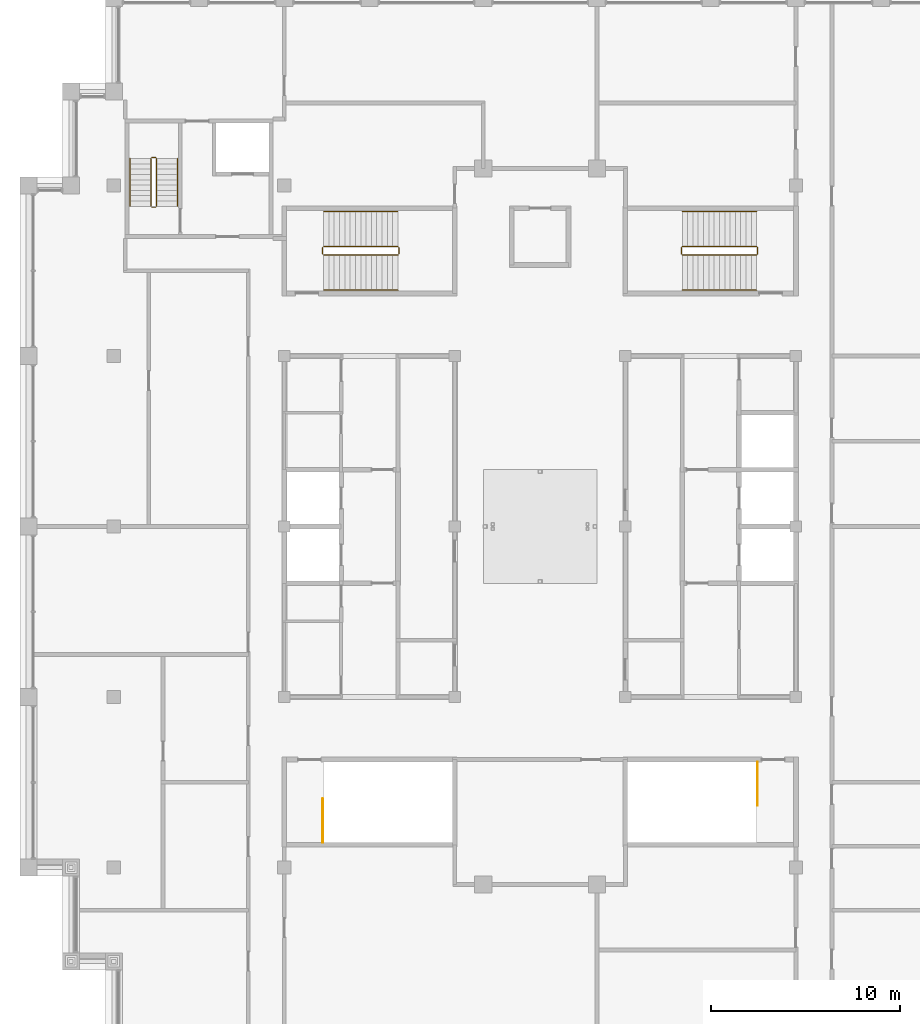
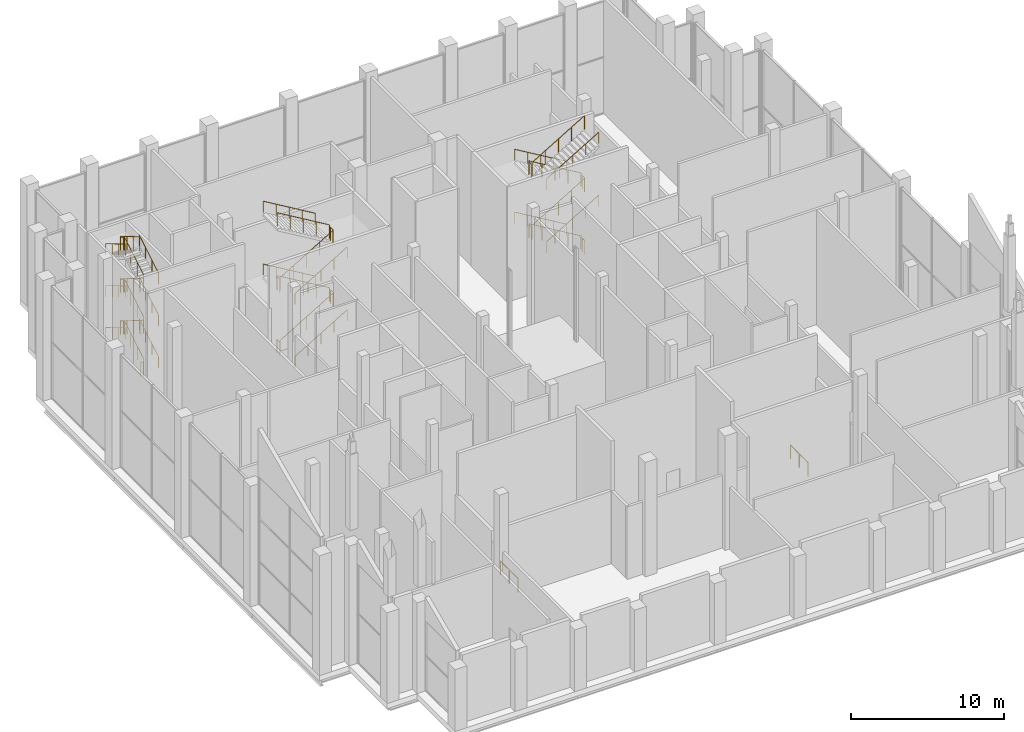
# One storey, part 16 of 16: 5 railings.
"""IFC4 building model written with IfcOpenShell, lengths in metres."""

from ifc_helpers import new_model, si_unit, direction, frame, origin, origin_2d, place, context, subcontext, project, spatial, circle, extrude, material, type_object, element, save


model = new_model("IFC4")

# Units and contexts
model_context = context("Model", 3, precision=1e-05, world=origin(), true_north=direction((0.0, 1.0)))
body_context = subcontext(model_context, "Body", "Model", "MODEL_VIEW")
ifc_project = project(units=[si_unit("LENGTHUNIT", "METRE"), si_unit("AREAUNIT", "SQUARE_METRE"), si_unit("VOLUMEUNIT", "CUBIC_METRE"), si_unit("PLANEANGLEUNIT", "RADIAN"), si_unit("MASSUNIT", "GRAM", prefix="KILO")], contexts=[model_context])

# Site, building, storey
site_placement = place(None, origin())
site = spatial("IfcSite", under=ifc_project, at=site_placement, CompositionType="ELEMENT")
building_placement = place(site_placement, origin())
building = spatial("IfcBuilding", under=site, at=building_placement, Name="Corbelhall Arena Tower", CompositionType="ELEMENT")
storey_placement = place(building_placement, frame((0.0, 0.0, 366.0)))
storey = spatial("IfcBuildingStorey", under=building, at=storey_placement, Name="L80", CompositionType="ELEMENT", Elevation=366.0)

# Railings
ifc_material = material(Name="Steel ASTM A500 Gr C", Category="steel")
railing_type = type_object("IfcRailingType", Name="IN-GD-1100", PredefinedType="GUARDRAIL", material=ifc_material)
railing_1_placement = place(storey_placement, frame((-11.425048828125, 14.324951171875, 0.166748046875)))
element("IfcRailing", 1, at=railing_1_placement, inside=storey, type_object=railing_type, Name="L80 ST1 stair guards and handrails", PredefinedType="GUARDRAIL", context=body_context, shape_type="SweptSolid", body=[
    extrude(circle(Radius=0.02392578125, at=origin_2d()), frame((0.0, 0.0, 1.076171875), z_axis=(0.859310244771, 0.0, 0.511454693235), x_axis=(0.0, 1.0, 0.0)), (0.0, 0.0, 1.0), 4.56201171875),
    extrude(circle(Radius=0.02392578125, at=origin_2d()), frame((3.969970703125, 0.050048828125, 3.4091796875), z_axis=(0.0, 1.0, 0.0), x_axis=(-1.0, 0.0, 0.0)), (0.0, 0.0, 1.0), 0.35009765625),
    extrude(circle(Radius=0.02392578125, at=origin_2d()), frame((3.920166015625, 0.449951171875, 3.576171875), z_axis=(-0.859310244771, 0.0, 0.511454693235), x_axis=(0.0, -1.0, 0.0)), (0.0, 0.0, 1.0), 4.56201171875),
    extrude(circle(Radius=0.02392578125, at=origin_2d()), frame((-0.050048828125, 0.050048828125, 5.9091796875), z_axis=(0.0, 1.0, 0.0), x_axis=(-1.0, 0.0, 0.0)), (0.0, 0.0, 1.0), 0.35009765625),
    extrude(circle(Radius=0.02392578125, at=origin_2d()), frame((0.0, 0.0, 6.076171875), z_axis=(0.859310244771, 0.0, 0.511454693235), x_axis=(0.0, 1.0, 0.0)), (0.0, 0.0, 1.0), 4.56201171875),
    extrude(circle(Radius=0.02392578125, at=origin_2d()), frame((3.969970703125, 0.050048828125, 8.4091796875), z_axis=(0.0, 1.0, 0.0), x_axis=(-1.0, 0.0, 0.0)), (0.0, 0.0, 1.0), 0.35009765625),
    extrude(circle(Radius=0.02392578125, at=origin_2d()), frame((3.920166015625, 0.449951171875, 8.576171875), z_axis=(-0.859310244771, 0.0, 0.511454693235), x_axis=(0.0, -1.0, 0.0)), (0.0, 0.0, 1.0), 4.56201171875),
    extrude(circle(Radius=0.02392578125, at=origin_2d()), frame((-0.050048828125, 0.050048828125, 0.9091796875), z_axis=(0.0, 1.0, 0.0), x_axis=(-1.0, 0.0, 0.0)), (0.0, 0.0, 1.0), 0.35009765625),
    extrude(circle(Radius=0.02392578125, at=origin_2d()), frame((0.0, -1.849853515625, 0.8759765625), z_axis=(0.859310244771, 0.0, 0.511454693235), x_axis=(0.0, 1.0, 0.0)), (0.0, 0.0, 1.0), 4.56201171875),
    extrude(circle(Radius=0.02392578125, at=origin_2d()), frame((3.920166015625, 2.300048828125, 3.3759765625), z_axis=(-0.859310244771, 0.0, 0.511454693235), x_axis=(0.0, -1.0, 0.0)), (0.0, 0.0, 1.0), 4.56201171875),
    extrude(circle(Radius=0.02392578125, at=origin_2d()), frame((0.0, -1.849853515625, 5.8759765625), z_axis=(0.859310244771, 0.0, 0.511454693235), x_axis=(0.0, 1.0, 0.0)), (0.0, 0.0, 1.0), 4.56201171875),
    extrude(circle(Radius=0.02392578125, at=origin_2d()), frame((3.920166015625, 2.300048828125, 8.3759765625), z_axis=(-0.859310244771, 0.0, 0.511454693235), x_axis=(0.0, -1.0, 0.0)), (0.0, 0.0, 1.0), 4.56201171875),
    extrude(circle(Radius=0.02099609375, at=origin_2d()), origin(), (0.0, 0.0, 1.0), 1.052001953125),
    extrude(circle(Radius=0.02099609375, at=origin_2d()), frame((0.97998046875, 0.0, 0.583251953125)), (0.0, 0.0, 1.0), 1.052001953125),
    extrude(circle(Radius=0.02099609375, at=origin_2d()), frame((1.9599609375, 0.0, 1.16650390625)), (0.0, 0.0, 1.0), 1.052001953125),
    extrude(circle(Radius=0.02099609375, at=origin_2d()), frame((2.940185546875, 0.0, 1.75)), (0.0, 0.0, 1.0), 1.052001953125),
    extrude(circle(Radius=0.02099609375, at=origin_2d()), frame((3.920166015625, 0.0, 2.333251953125)), (0.0, 0.0, 1.0), 1.052001953125),
    extrude(circle(Radius=0.02099609375, at=origin_2d()), frame((3.969970703125, 0.050048828125, 2.333251953125)), (0.0, 0.0, 1.0), 1.052001953125),
    extrude(circle(Radius=0.02099609375, at=origin_2d()), frame((3.969970703125, 0.400146484375, 2.333251953125)), (0.0, 0.0, 1.0), 1.052001953125),
    extrude(circle(Radius=0.02099609375, at=origin_2d()), frame((3.920166015625, 0.449951171875, 2.5)), (0.0, 0.0, 1.0), 1.052001953125),
    extrude(circle(Radius=0.02099609375, at=origin_2d()), frame((2.940185546875, 0.449951171875, 3.083251953125)), (0.0, 0.0, 1.0), 1.052001953125),
    extrude(circle(Radius=0.02099609375, at=origin_2d()), frame((1.9599609375, 0.449951171875, 3.66650390625)), (0.0, 0.0, 1.0), 1.052001953125),
    extrude(circle(Radius=0.02099609375, at=origin_2d()), frame((0.97998046875, 0.449951171875, 4.25)), (0.0, 0.0, 1.0), 1.052001953125),
    extrude(circle(Radius=0.02099609375, at=origin_2d()), frame((0.0, 0.449951171875, 4.833251953125)), (0.0, 0.0, 1.0), 1.052001953125),
    extrude(circle(Radius=0.02099609375, at=origin_2d()), frame((-0.050048828125, 0.050048828125, 4.833251953125)), (0.0, 0.0, 1.0), 1.052001953125),
    extrude(circle(Radius=0.02099609375, at=origin_2d()), frame((-0.050048828125, 0.400146484375, 4.833251953125)), (0.0, 0.0, 1.0), 1.052001953125),
    extrude(circle(Radius=0.02099609375, at=origin_2d()), frame((0.0, 0.0, 5.0)), (0.0, 0.0, 1.0), 1.052001953125),
    extrude(circle(Radius=0.02099609375, at=origin_2d()), frame((0.97998046875, 0.0, 5.583251953125)), (0.0, 0.0, 1.0), 1.052001953125),
    extrude(circle(Radius=0.02099609375, at=origin_2d()), frame((1.9599609375, 0.0, 6.16650390625)), (0.0, 0.0, 1.0), 1.052001953125),
    extrude(circle(Radius=0.02099609375, at=origin_2d()), frame((2.940185546875, 0.0, 6.75)), (0.0, 0.0, 1.0), 1.052001953125),
    extrude(circle(Radius=0.02099609375, at=origin_2d()), frame((3.920166015625, 0.0, 7.333251953125)), (0.0, 0.0, 1.0), 1.052001953125),
    extrude(circle(Radius=0.02099609375, at=origin_2d()), frame((3.969970703125, 0.050048828125, 7.333251953125)), (0.0, 0.0, 1.0), 1.052001953125),
    extrude(circle(Radius=0.02099609375, at=origin_2d()), frame((3.969970703125, 0.400146484375, 7.333251953125)), (0.0, 0.0, 1.0), 1.052001953125),
    extrude(circle(Radius=0.02099609375, at=origin_2d()), frame((3.920166015625, 0.449951171875, 7.5)), (0.0, 0.0, 1.0), 1.052001953125),
    extrude(circle(Radius=0.02099609375, at=origin_2d()), frame((2.940185546875, 0.449951171875, 8.083251953125)), (0.0, 0.0, 1.0), 1.052001953125),
    extrude(circle(Radius=0.02099609375, at=origin_2d()), frame((1.9599609375, 0.449951171875, 8.66650390625)), (0.0, 0.0, 1.0), 1.052001953125),
    extrude(circle(Radius=0.02099609375, at=origin_2d()), frame((0.97998046875, 0.449951171875, 9.25)), (0.0, 0.0, 1.0), 1.052001953125),
    extrude(circle(Radius=0.02099609375, at=origin_2d()), frame((0.0, 0.449951171875, 9.833251953125)), (0.0, 0.0, 1.0), 1.052001953125),
    extrude(circle(Radius=0.02099609375, at=origin_2d()), frame((-0.050048828125, 0.050048828125, -0.166748046875)), (0.0, 0.0, 1.0), 1.052001953125),
    extrude(circle(Radius=0.02099609375, at=origin_2d()), frame((-0.050048828125, 0.400146484375, -0.166748046875)), (0.0, 0.0, 1.0), 1.052001953125),
    extrude(circle(Radius=0.02099609375, at=origin_2d()), frame((0.0, -1.849853515625, 0.0)), (0.0, 0.0, 1.0), 0.851806640625),
    extrude(circle(Radius=0.02099609375, at=origin_2d()), frame((0.97998046875, -1.849853515625, 0.583251953125)), (0.0, 0.0, 1.0), 0.851806640625),
    extrude(circle(Radius=0.02099609375, at=origin_2d()), frame((1.9599609375, -1.849853515625, 1.16650390625)), (0.0, 0.0, 1.0), 0.851806640625),
    extrude(circle(Radius=0.02099609375, at=origin_2d()), frame((2.940185546875, -1.849853515625, 1.75)), (0.0, 0.0, 1.0), 0.851806640625),
    extrude(circle(Radius=0.02099609375, at=origin_2d()), frame((3.920166015625, -1.849853515625, 2.333251953125)), (0.0, 0.0, 1.0), 0.851806640625),
    extrude(circle(Radius=0.02099609375, at=origin_2d()), frame((3.920166015625, 2.300048828125, 2.5)), (0.0, 0.0, 1.0), 0.851806640625),
    extrude(circle(Radius=0.02099609375, at=origin_2d()), frame((2.940185546875, 2.300048828125, 3.083251953125)), (0.0, 0.0, 1.0), 0.851806640625),
    extrude(circle(Radius=0.02099609375, at=origin_2d()), frame((1.9599609375, 2.300048828125, 3.66650390625)), (0.0, 0.0, 1.0), 0.851806640625),
    extrude(circle(Radius=0.02099609375, at=origin_2d()), frame((0.97998046875, 2.300048828125, 4.25)), (0.0, 0.0, 1.0), 0.851806640625),
    extrude(circle(Radius=0.02099609375, at=origin_2d()), frame((0.0, 2.300048828125, 4.833251953125)), (0.0, 0.0, 1.0), 0.851806640625),
    extrude(circle(Radius=0.02099609375, at=origin_2d()), frame((0.0, -1.849853515625, 5.0)), (0.0, 0.0, 1.0), 0.851806640625),
    extrude(circle(Radius=0.02099609375, at=origin_2d()), frame((0.97998046875, -1.849853515625, 5.583251953125)), (0.0, 0.0, 1.0), 0.851806640625),
    extrude(circle(Radius=0.02099609375, at=origin_2d()), frame((1.9599609375, -1.849853515625, 6.16650390625)), (0.0, 0.0, 1.0), 0.851806640625),
    extrude(circle(Radius=0.02099609375, at=origin_2d()), frame((2.940185546875, -1.849853515625, 6.75)), (0.0, 0.0, 1.0), 0.851806640625),
    extrude(circle(Radius=0.02099609375, at=origin_2d()), frame((3.920166015625, -1.849853515625, 7.333251953125)), (0.0, 0.0, 1.0), 0.851806640625),
    extrude(circle(Radius=0.02099609375, at=origin_2d()), frame((3.920166015625, 2.300048828125, 7.5)), (0.0, 0.0, 1.0), 0.851806640625),
    extrude(circle(Radius=0.02099609375, at=origin_2d()), frame((2.940185546875, 2.300048828125, 8.083251953125)), (0.0, 0.0, 1.0), 0.851806640625),
    extrude(circle(Radius=0.02099609375, at=origin_2d()), frame((1.9599609375, 2.300048828125, 8.66650390625)), (0.0, 0.0, 1.0), 0.851806640625),
    extrude(circle(Radius=0.02099609375, at=origin_2d()), frame((0.97998046875, 2.300048828125, 9.25)), (0.0, 0.0, 1.0), 0.851806640625),
    extrude(circle(Radius=0.02099609375, at=origin_2d()), frame((0.0, 2.300048828125, 9.833251953125)), (0.0, 0.0, 1.0), 0.851806640625),
])
railing_2_placement = place(storey_placement, frame((-11.47509765625, -16.675048828125, 0.0)))
element("IfcRailing", 2, at=railing_2_placement, inside=storey, type_object=railing_type, Name="L80 ST2 stair guards and handrails", PredefinedType="GUARDRAIL", context=body_context, shape_type="SweptSolid", body=[
    extrude(circle(Radius=0.02392578125, at=origin_2d()), frame((0.0, 0.0, 1.076171875), z_axis=(0.0, 1.0, 0.0), x_axis=(-1.0, 0.0, 0.0)), (0.0, 0.0, 1.0), 2.300048828125),
    extrude(circle(Radius=0.02099609375, at=origin_2d()), origin(), (0.0, 0.0, 1.0), 1.052001953125),
    extrude(circle(Radius=0.02099609375, at=origin_2d()), frame((0.0, 1.14990234375, 0.0)), (0.0, 0.0, 1.0), 1.052001953125),
    extrude(circle(Radius=0.02099609375, at=origin_2d()), frame((0.0, 2.300048828125, 0.0)), (0.0, 0.0, 1.0), 1.052001953125),
])
railing_3_placement = place(storey_placement, frame((11.425048828125, 14.77490234375, 0.166748046875)))
element("IfcRailing", 3, at=railing_3_placement, inside=storey, type_object=railing_type, Name="L80 ST3 stair guards and handrails", PredefinedType="GUARDRAIL", context=body_context, shape_type="SweptSolid", body=[
    extrude(circle(Radius=0.02392578125, at=origin_2d()), frame((0.0, 0.0, 1.076171875), z_axis=(-0.859310244771, 0.0, 0.511454693235), x_axis=(0.0, -1.0, 0.0)), (0.0, 0.0, 1.0), 4.56201171875),
    extrude(circle(Radius=0.02392578125, at=origin_2d()), frame((-3.969970703125, -0.0498046875, 3.4091796875), z_axis=(0.0, -1.0, 0.0), x_axis=(1.0, 0.0, 0.0)), (0.0, 0.0, 1.0), 0.35009765625),
    extrude(circle(Radius=0.02392578125, at=origin_2d()), frame((-3.920166015625, -0.449951171875, 3.576171875), z_axis=(0.859310244771, 0.0, 0.511454693235), x_axis=(0.0, 1.0, 0.0)), (0.0, 0.0, 1.0), 4.56201171875),
    extrude(circle(Radius=0.02392578125, at=origin_2d()), frame((0.050048828125, -0.0498046875, 5.9091796875), z_axis=(0.0, -1.0, 0.0), x_axis=(1.0, 0.0, 0.0)), (0.0, 0.0, 1.0), 0.35009765625),
    extrude(circle(Radius=0.02392578125, at=origin_2d()), frame((0.0, 0.0, 6.076171875), z_axis=(-0.859310244771, 0.0, 0.511454693235), x_axis=(0.0, -1.0, 0.0)), (0.0, 0.0, 1.0), 4.56201171875),
    extrude(circle(Radius=0.02392578125, at=origin_2d()), frame((-3.969970703125, -0.0498046875, 8.4091796875), z_axis=(0.0, -1.0, 0.0), x_axis=(1.0, 0.0, 0.0)), (0.0, 0.0, 1.0), 0.35009765625),
    extrude(circle(Radius=0.02392578125, at=origin_2d()), frame((-3.920166015625, -0.449951171875, 8.576171875), z_axis=(0.859310244771, 0.0, 0.511454693235), x_axis=(0.0, 1.0, 0.0)), (0.0, 0.0, 1.0), 4.56201171875),
    extrude(circle(Radius=0.02392578125, at=origin_2d()), frame((0.050048828125, -0.0498046875, 0.9091796875), z_axis=(0.0, -1.0, 0.0), x_axis=(1.0, 0.0, 0.0)), (0.0, 0.0, 1.0), 0.35009765625),
    extrude(circle(Radius=0.02392578125, at=origin_2d()), frame((0.0, 1.85009765625, 0.8759765625), z_axis=(-0.859310244771, 0.0, 0.511454693235), x_axis=(0.0, -1.0, 0.0)), (0.0, 0.0, 1.0), 4.56201171875),
    extrude(circle(Radius=0.02392578125, at=origin_2d()), frame((-3.920166015625, -2.2998046875, 3.3759765625), z_axis=(0.859310244771, 0.0, 0.511454693235), x_axis=(0.0, 1.0, 0.0)), (0.0, 0.0, 1.0), 4.56201171875),
    extrude(circle(Radius=0.02392578125, at=origin_2d()), frame((0.0, 1.85009765625, 5.8759765625), z_axis=(-0.859310244771, 0.0, 0.511454693235), x_axis=(0.0, -1.0, 0.0)), (0.0, 0.0, 1.0), 4.56201171875),
    extrude(circle(Radius=0.02392578125, at=origin_2d()), frame((-3.920166015625, -2.2998046875, 8.3759765625), z_axis=(0.859310244771, 0.0, 0.511454693235), x_axis=(0.0, 1.0, 0.0)), (0.0, 0.0, 1.0), 4.56201171875),
    extrude(circle(Radius=0.02099609375, at=origin_2d()), origin(), (0.0, 0.0, 1.0), 1.052001953125),
    extrude(circle(Radius=0.02099609375, at=origin_2d()), frame((-0.97998046875, 0.0, 0.583251953125)), (0.0, 0.0, 1.0), 1.052001953125),
    extrude(circle(Radius=0.02099609375, at=origin_2d()), frame((-1.9599609375, 0.0, 1.16650390625)), (0.0, 0.0, 1.0), 1.052001953125),
    extrude(circle(Radius=0.02099609375, at=origin_2d()), frame((-2.940185546875, 0.0, 1.75)), (0.0, 0.0, 1.0), 1.052001953125),
    extrude(circle(Radius=0.02099609375, at=origin_2d()), frame((-3.920166015625, 0.0, 2.333251953125)), (0.0, 0.0, 1.0), 1.052001953125),
    extrude(circle(Radius=0.02099609375, at=origin_2d()), frame((-3.969970703125, -0.0498046875, 2.333251953125)), (0.0, 0.0, 1.0), 1.052001953125),
    extrude(circle(Radius=0.02099609375, at=origin_2d()), frame((-3.969970703125, -0.39990234375, 2.333251953125)), (0.0, 0.0, 1.0), 1.052001953125),
    extrude(circle(Radius=0.02099609375, at=origin_2d()), frame((-3.920166015625, -0.449951171875, 2.5)), (0.0, 0.0, 1.0), 1.052001953125),
    extrude(circle(Radius=0.02099609375, at=origin_2d()), frame((-2.940185546875, -0.449951171875, 3.083251953125)), (0.0, 0.0, 1.0), 1.052001953125),
    extrude(circle(Radius=0.02099609375, at=origin_2d()), frame((-1.9599609375, -0.449951171875, 3.66650390625)), (0.0, 0.0, 1.0), 1.052001953125),
    extrude(circle(Radius=0.02099609375, at=origin_2d()), frame((-0.97998046875, -0.449951171875, 4.25)), (0.0, 0.0, 1.0), 1.052001953125),
    extrude(circle(Radius=0.02099609375, at=origin_2d()), frame((0.0, -0.449951171875, 4.833251953125)), (0.0, 0.0, 1.0), 1.052001953125),
    extrude(circle(Radius=0.02099609375, at=origin_2d()), frame((0.050048828125, -0.0498046875, 4.833251953125)), (0.0, 0.0, 1.0), 1.052001953125),
    extrude(circle(Radius=0.02099609375, at=origin_2d()), frame((0.050048828125, -0.39990234375, 4.833251953125)), (0.0, 0.0, 1.0), 1.052001953125),
    extrude(circle(Radius=0.02099609375, at=origin_2d()), frame((0.0, 0.0, 5.0)), (0.0, 0.0, 1.0), 1.052001953125),
    extrude(circle(Radius=0.02099609375, at=origin_2d()), frame((-0.97998046875, 0.0, 5.583251953125)), (0.0, 0.0, 1.0), 1.052001953125),
    extrude(circle(Radius=0.02099609375, at=origin_2d()), frame((-1.9599609375, 0.0, 6.16650390625)), (0.0, 0.0, 1.0), 1.052001953125),
    extrude(circle(Radius=0.02099609375, at=origin_2d()), frame((-2.940185546875, 0.0, 6.75)), (0.0, 0.0, 1.0), 1.052001953125),
    extrude(circle(Radius=0.02099609375, at=origin_2d()), frame((-3.920166015625, 0.0, 7.333251953125)), (0.0, 0.0, 1.0), 1.052001953125),
    extrude(circle(Radius=0.02099609375, at=origin_2d()), frame((-3.969970703125, -0.0498046875, 7.333251953125)), (0.0, 0.0, 1.0), 1.052001953125),
    extrude(circle(Radius=0.02099609375, at=origin_2d()), frame((-3.969970703125, -0.39990234375, 7.333251953125)), (0.0, 0.0, 1.0), 1.052001953125),
    extrude(circle(Radius=0.02099609375, at=origin_2d()), frame((-3.920166015625, -0.449951171875, 7.5)), (0.0, 0.0, 1.0), 1.052001953125),
    extrude(circle(Radius=0.02099609375, at=origin_2d()), frame((-2.940185546875, -0.449951171875, 8.083251953125)), (0.0, 0.0, 1.0), 1.052001953125),
    extrude(circle(Radius=0.02099609375, at=origin_2d()), frame((-1.9599609375, -0.449951171875, 8.66650390625)), (0.0, 0.0, 1.0), 1.052001953125),
    extrude(circle(Radius=0.02099609375, at=origin_2d()), frame((-0.97998046875, -0.449951171875, 9.25)), (0.0, 0.0, 1.0), 1.052001953125),
    extrude(circle(Radius=0.02099609375, at=origin_2d()), frame((0.0, -0.449951171875, 9.833251953125)), (0.0, 0.0, 1.0), 1.052001953125),
    extrude(circle(Radius=0.02099609375, at=origin_2d()), frame((0.050048828125, -0.0498046875, -0.166748046875)), (0.0, 0.0, 1.0), 1.052001953125),
    extrude(circle(Radius=0.02099609375, at=origin_2d()), frame((0.050048828125, -0.39990234375, -0.166748046875)), (0.0, 0.0, 1.0), 1.052001953125),
    extrude(circle(Radius=0.02099609375, at=origin_2d()), frame((0.0, 1.85009765625, 0.0)), (0.0, 0.0, 1.0), 0.851806640625),
    extrude(circle(Radius=0.02099609375, at=origin_2d()), frame((-0.97998046875, 1.85009765625, 0.583251953125)), (0.0, 0.0, 1.0), 0.851806640625),
    extrude(circle(Radius=0.02099609375, at=origin_2d()), frame((-1.9599609375, 1.85009765625, 1.16650390625)), (0.0, 0.0, 1.0), 0.851806640625),
    extrude(circle(Radius=0.02099609375, at=origin_2d()), frame((-2.940185546875, 1.85009765625, 1.75)), (0.0, 0.0, 1.0), 0.851806640625),
    extrude(circle(Radius=0.02099609375, at=origin_2d()), frame((-3.920166015625, 1.85009765625, 2.333251953125)), (0.0, 0.0, 1.0), 0.851806640625),
    extrude(circle(Radius=0.02099609375, at=origin_2d()), frame((-3.920166015625, -2.2998046875, 2.5)), (0.0, 0.0, 1.0), 0.851806640625),
    extrude(circle(Radius=0.02099609375, at=origin_2d()), frame((-2.940185546875, -2.2998046875, 3.083251953125)), (0.0, 0.0, 1.0), 0.851806640625),
    extrude(circle(Radius=0.02099609375, at=origin_2d()), frame((-1.9599609375, -2.2998046875, 3.66650390625)), (0.0, 0.0, 1.0), 0.851806640625),
    extrude(circle(Radius=0.02099609375, at=origin_2d()), frame((-0.97998046875, -2.2998046875, 4.25)), (0.0, 0.0, 1.0), 0.851806640625),
    extrude(circle(Radius=0.02099609375, at=origin_2d()), frame((0.0, -2.2998046875, 4.833251953125)), (0.0, 0.0, 1.0), 0.851806640625),
    extrude(circle(Radius=0.02099609375, at=origin_2d()), frame((0.0, 1.85009765625, 5.0)), (0.0, 0.0, 1.0), 0.851806640625),
    extrude(circle(Radius=0.02099609375, at=origin_2d()), frame((-0.97998046875, 1.85009765625, 5.583251953125)), (0.0, 0.0, 1.0), 0.851806640625),
    extrude(circle(Radius=0.02099609375, at=origin_2d()), frame((-1.9599609375, 1.85009765625, 6.16650390625)), (0.0, 0.0, 1.0), 0.851806640625),
    extrude(circle(Radius=0.02099609375, at=origin_2d()), frame((-2.940185546875, 1.85009765625, 6.75)), (0.0, 0.0, 1.0), 0.851806640625),
    extrude(circle(Radius=0.02099609375, at=origin_2d()), frame((-3.920166015625, 1.85009765625, 7.333251953125)), (0.0, 0.0, 1.0), 0.851806640625),
    extrude(circle(Radius=0.02099609375, at=origin_2d()), frame((-3.920166015625, -2.2998046875, 7.5)), (0.0, 0.0, 1.0), 0.851806640625),
    extrude(circle(Radius=0.02099609375, at=origin_2d()), frame((-2.940185546875, -2.2998046875, 8.083251953125)), (0.0, 0.0, 1.0), 0.851806640625),
    extrude(circle(Radius=0.02099609375, at=origin_2d()), frame((-1.9599609375, -2.2998046875, 8.66650390625)), (0.0, 0.0, 1.0), 0.851806640625),
    extrude(circle(Radius=0.02099609375, at=origin_2d()), frame((-0.97998046875, -2.2998046875, 9.25)), (0.0, 0.0, 1.0), 0.851806640625),
    extrude(circle(Radius=0.02099609375, at=origin_2d()), frame((0.0, -2.2998046875, 9.833251953125)), (0.0, 0.0, 1.0), 0.851806640625),
])
railing_4_placement = place(storey_placement, frame((11.47509765625, -12.425048828125, 0.0)))
element("IfcRailing", 4, at=railing_4_placement, inside=storey, type_object=railing_type, Name="L80 ST4 stair guards and handrails", PredefinedType="GUARDRAIL", context=body_context, shape_type="SweptSolid", body=[
    extrude(circle(Radius=0.02392578125, at=origin_2d()), frame((0.0, 0.0, 1.076171875), z_axis=(0.0, -1.0, 0.0), x_axis=(1.0, 0.0, 0.0)), (0.0, 0.0, 1.0), 2.300048828125),
    extrude(circle(Radius=0.02099609375, at=origin_2d()), origin(), (0.0, 0.0, 1.0), 1.052001953125),
    extrude(circle(Radius=0.02099609375, at=origin_2d()), frame((0.0, -1.14990234375, 0.0)), (0.0, 0.0, 1.0), 1.052001953125),
    extrude(circle(Radius=0.02099609375, at=origin_2d()), frame((0.0, -2.300048828125, 0.0)), (0.0, 0.0, 1.0), 1.052001953125),
])
railing_5_placement = place(storey_placement, frame((-20.2451171875, 16.89990234375, 0.166748046875)))
element("IfcRailing", 5, at=railing_5_placement, inside=storey, type_object=railing_type, Name="L80 ST5 stair guards and handrails", PredefinedType="GUARDRAIL", context=body_context, shape_type="SweptSolid", body=[
    extrude(circle(Radius=0.02392578125, at=origin_2d()), frame((0.0, 0.0, 1.076171875), z_axis=(0.0, 0.859294626741, 0.511480932639), x_axis=(-1.0, 0.0, 0.0)), (0.0, 0.0, 1.0), 2.9326171875),
    extrude(circle(Radius=0.02392578125, at=origin_2d()), frame((-0.0498046875, 2.570068359375, 2.576171875), z_axis=(-1.0, 0.0, 0.0), x_axis=(0.0, -1.0, 0.0)), (0.0, 0.0, 1.0), 0.2001953125),
    extrude(circle(Radius=0.02392578125, at=origin_2d()), frame((-0.2998046875, 2.52001953125, 2.74267578125), z_axis=(0.0, -0.859294626741, 0.511480932639), x_axis=(1.0, 0.0, 0.0)), (0.0, 0.0, 1.0), 2.9326171875),
    extrude(circle(Radius=0.02392578125, at=origin_2d()), frame((-0.0498046875, -0.0498046875, 4.24267578125), z_axis=(-1.0, 0.0, 0.0), x_axis=(0.0, -1.0, 0.0)), (0.0, 0.0, 1.0), 0.2001953125),
    extrude(circle(Radius=0.02392578125, at=origin_2d()), frame((0.0, 0.0, 4.4091796875), z_axis=(0.0, 0.859294626741, 0.511480932639), x_axis=(-1.0, 0.0, 0.0)), (0.0, 0.0, 1.0), 2.9326171875),
    extrude(circle(Radius=0.02392578125, at=origin_2d()), frame((-0.0498046875, 2.570068359375, 5.9091796875), z_axis=(-1.0, 0.0, 0.0), x_axis=(0.0, -1.0, 0.0)), (0.0, 0.0, 1.0), 0.2001953125),
    extrude(circle(Radius=0.02392578125, at=origin_2d()), frame((-0.2998046875, 2.52001953125, 6.076171875), z_axis=(0.0, -0.859294626741, 0.511480932639), x_axis=(1.0, 0.0, 0.0)), (0.0, 0.0, 1.0), 2.9326171875),
    extrude(circle(Radius=0.02392578125, at=origin_2d()), frame((-0.0498046875, -0.0498046875, 7.576171875), z_axis=(-1.0, 0.0, 0.0), x_axis=(0.0, -1.0, 0.0)), (0.0, 0.0, 1.0), 0.2001953125),
    extrude(circle(Radius=0.02392578125, at=origin_2d()), frame((0.0, 0.0, 7.74267578125), z_axis=(0.0, 0.859294626741, 0.511480932639), x_axis=(-1.0, 0.0, 0.0)), (0.0, 0.0, 1.0), 2.9326171875),
    extrude(circle(Radius=0.02392578125, at=origin_2d()), frame((-0.0498046875, 2.570068359375, 9.24267578125), z_axis=(-1.0, 0.0, 0.0), x_axis=(0.0, -1.0, 0.0)), (0.0, 0.0, 1.0), 0.2001953125),
    extrude(circle(Radius=0.02392578125, at=origin_2d()), frame((-0.2998046875, 2.52001953125, 9.4091796875), z_axis=(0.0, -0.859294626741, 0.511480932639), x_axis=(1.0, 0.0, 0.0)), (0.0, 0.0, 1.0), 2.9326171875),
    extrude(circle(Radius=0.02392578125, at=origin_2d()), frame((-0.0498046875, -0.0498046875, 0.9091796875), z_axis=(-1.0, 0.0, 0.0), x_axis=(0.0, -1.0, 0.0)), (0.0, 0.0, 1.0), 0.2001953125),
    extrude(circle(Radius=0.02392578125, at=origin_2d()), frame((1.10009765625, 0.0, 0.8759765625), z_axis=(0.0, 0.859294626741, 0.511480932639), x_axis=(-1.0, 0.0, 0.0)), (0.0, 0.0, 1.0), 2.9326171875),
    extrude(circle(Radius=0.02392578125, at=origin_2d()), frame((-1.39990234375, 2.52001953125, 2.54248046875), z_axis=(0.0, -0.859294626741, 0.511480932639), x_axis=(1.0, 0.0, 0.0)), (0.0, 0.0, 1.0), 2.9326171875),
    extrude(circle(Radius=0.02392578125, at=origin_2d()), frame((1.10009765625, 0.0, 4.208984375), z_axis=(0.0, 0.859294626741, 0.511480932639), x_axis=(-1.0, 0.0, 0.0)), (0.0, 0.0, 1.0), 2.9326171875),
    extrude(circle(Radius=0.02392578125, at=origin_2d()), frame((-1.39990234375, 2.52001953125, 5.8759765625), z_axis=(0.0, -0.859294626741, 0.511480932639), x_axis=(1.0, 0.0, 0.0)), (0.0, 0.0, 1.0), 2.9326171875),
    extrude(circle(Radius=0.02392578125, at=origin_2d()), frame((1.10009765625, 0.0, 7.54248046875), z_axis=(0.0, 0.859294626741, 0.511480932639), x_axis=(-1.0, 0.0, 0.0)), (0.0, 0.0, 1.0), 2.9326171875),
    extrude(circle(Radius=0.02392578125, at=origin_2d()), frame((-1.39990234375, 2.52001953125, 9.208984375), z_axis=(0.0, -0.859294626741, 0.511480932639), x_axis=(1.0, 0.0, 0.0)), (0.0, 0.0, 1.0), 2.9326171875),
    extrude(circle(Radius=0.02099609375, at=origin_2d()), origin(), (0.0, 0.0, 1.0), 1.052001953125),
    extrude(circle(Radius=0.02099609375, at=origin_2d()), frame((0.0, 0.840087890625, 0.5)), (0.0, 0.0, 1.0), 1.052001953125),
    extrude(circle(Radius=0.02099609375, at=origin_2d()), frame((0.0, 1.679931640625, 1.0)), (0.0, 0.0, 1.0), 1.052001953125),
    extrude(circle(Radius=0.02099609375, at=origin_2d()), frame((0.0, 2.52001953125, 1.5)), (0.0, 0.0, 1.0), 1.052001953125),
    extrude(circle(Radius=0.02099609375, at=origin_2d()), frame((-0.0498046875, 2.570068359375, 1.5)), (0.0, 0.0, 1.0), 1.052001953125),
    extrude(circle(Radius=0.02099609375, at=origin_2d()), frame((-0.25, 2.570068359375, 1.5)), (0.0, 0.0, 1.0), 1.052001953125),
    extrude(circle(Radius=0.02099609375, at=origin_2d()), frame((-0.2998046875, 2.52001953125, 1.66650390625)), (0.0, 0.0, 1.0), 1.052001953125),
    extrude(circle(Radius=0.02099609375, at=origin_2d()), frame((-0.2998046875, 1.679931640625, 2.16650390625)), (0.0, 0.0, 1.0), 1.052001953125),
    extrude(circle(Radius=0.02099609375, at=origin_2d()), frame((-0.2998046875, 0.840087890625, 2.66650390625)), (0.0, 0.0, 1.0), 1.052001953125),
    extrude(circle(Radius=0.02099609375, at=origin_2d()), frame((-0.2998046875, 0.0, 3.16650390625)), (0.0, 0.0, 1.0), 1.052001953125),
    extrude(circle(Radius=0.02099609375, at=origin_2d()), frame((-0.0498046875, -0.0498046875, 3.16650390625)), (0.0, 0.0, 1.0), 1.052001953125),
    extrude(circle(Radius=0.02099609375, at=origin_2d()), frame((-0.25, -0.0498046875, 3.16650390625)), (0.0, 0.0, 1.0), 1.052001953125),
    extrude(circle(Radius=0.02099609375, at=origin_2d()), frame((0.0, 0.0, 3.333251953125)), (0.0, 0.0, 1.0), 1.052001953125),
    extrude(circle(Radius=0.02099609375, at=origin_2d()), frame((0.0, 0.840087890625, 3.833251953125)), (0.0, 0.0, 1.0), 1.052001953125),
    extrude(circle(Radius=0.02099609375, at=origin_2d()), frame((0.0, 1.679931640625, 4.333251953125)), (0.0, 0.0, 1.0), 1.052001953125),
    extrude(circle(Radius=0.02099609375, at=origin_2d()), frame((0.0, 2.52001953125, 4.833251953125)), (0.0, 0.0, 1.0), 1.052001953125),
    extrude(circle(Radius=0.02099609375, at=origin_2d()), frame((-0.0498046875, 2.570068359375, 4.833251953125)), (0.0, 0.0, 1.0), 1.052001953125),
    extrude(circle(Radius=0.02099609375, at=origin_2d()), frame((-0.25, 2.570068359375, 4.833251953125)), (0.0, 0.0, 1.0), 1.052001953125),
    extrude(circle(Radius=0.02099609375, at=origin_2d()), frame((-0.2998046875, 2.52001953125, 5.0)), (0.0, 0.0, 1.0), 1.052001953125),
    extrude(circle(Radius=0.02099609375, at=origin_2d()), frame((-0.2998046875, 1.679931640625, 5.5)), (0.0, 0.0, 1.0), 1.052001953125),
    extrude(circle(Radius=0.02099609375, at=origin_2d()), frame((-0.2998046875, 0.840087890625, 6.0)), (0.0, 0.0, 1.0), 1.052001953125),
    extrude(circle(Radius=0.02099609375, at=origin_2d()), frame((-0.2998046875, 0.0, 6.5)), (0.0, 0.0, 1.0), 1.052001953125),
    extrude(circle(Radius=0.02099609375, at=origin_2d()), frame((-0.0498046875, -0.0498046875, 6.5)), (0.0, 0.0, 1.0), 1.052001953125),
    extrude(circle(Radius=0.02099609375, at=origin_2d()), frame((-0.25, -0.0498046875, 6.5)), (0.0, 0.0, 1.0), 1.052001953125),
    extrude(circle(Radius=0.02099609375, at=origin_2d()), frame((0.0, 0.0, 6.66650390625)), (0.0, 0.0, 1.0), 1.052001953125),
    extrude(circle(Radius=0.02099609375, at=origin_2d()), frame((0.0, 0.840087890625, 7.16650390625)), (0.0, 0.0, 1.0), 1.052001953125),
    extrude(circle(Radius=0.02099609375, at=origin_2d()), frame((0.0, 1.679931640625, 7.66650390625)), (0.0, 0.0, 1.0), 1.052001953125),
    extrude(circle(Radius=0.02099609375, at=origin_2d()), frame((0.0, 2.52001953125, 8.16650390625)), (0.0, 0.0, 1.0), 1.052001953125),
    extrude(circle(Radius=0.02099609375, at=origin_2d()), frame((-0.0498046875, 2.570068359375, 8.16650390625)), (0.0, 0.0, 1.0), 1.052001953125),
    extrude(circle(Radius=0.02099609375, at=origin_2d()), frame((-0.25, 2.570068359375, 8.16650390625)), (0.0, 0.0, 1.0), 1.052001953125),
    extrude(circle(Radius=0.02099609375, at=origin_2d()), frame((-0.2998046875, 2.52001953125, 8.333251953125)), (0.0, 0.0, 1.0), 1.052001953125),
    extrude(circle(Radius=0.02099609375, at=origin_2d()), frame((-0.2998046875, 1.679931640625, 8.833251953125)), (0.0, 0.0, 1.0), 1.052001953125),
    extrude(circle(Radius=0.02099609375, at=origin_2d()), frame((-0.2998046875, 0.840087890625, 9.333251953125)), (0.0, 0.0, 1.0), 1.052001953125),
    extrude(circle(Radius=0.02099609375, at=origin_2d()), frame((-0.2998046875, 0.0, 9.833251953125)), (0.0, 0.0, 1.0), 1.052001953125),
    extrude(circle(Radius=0.02099609375, at=origin_2d()), frame((-0.0498046875, -0.0498046875, -0.166748046875)), (0.0, 0.0, 1.0), 1.052001953125),
    extrude(circle(Radius=0.02099609375, at=origin_2d()), frame((-0.25, -0.0498046875, -0.166748046875)), (0.0, 0.0, 1.0), 1.052001953125),
    extrude(circle(Radius=0.02099609375, at=origin_2d()), frame((1.10009765625, 0.0, 0.0)), (0.0, 0.0, 1.0), 0.851806640625),
    extrude(circle(Radius=0.02099609375, at=origin_2d()), frame((1.10009765625, 0.840087890625, 0.5)), (0.0, 0.0, 1.0), 0.851806640625),
    extrude(circle(Radius=0.02099609375, at=origin_2d()), frame((1.10009765625, 1.679931640625, 1.0)), (0.0, 0.0, 1.0), 0.851806640625),
    extrude(circle(Radius=0.02099609375, at=origin_2d()), frame((1.10009765625, 2.52001953125, 1.5)), (0.0, 0.0, 1.0), 0.851806640625),
    extrude(circle(Radius=0.02099609375, at=origin_2d()), frame((-1.39990234375, 2.52001953125, 1.66650390625)), (0.0, 0.0, 1.0), 0.851806640625),
    extrude(circle(Radius=0.02099609375, at=origin_2d()), frame((-1.39990234375, 1.679931640625, 2.16650390625)), (0.0, 0.0, 1.0), 0.851806640625),
    extrude(circle(Radius=0.02099609375, at=origin_2d()), frame((-1.39990234375, 0.840087890625, 2.66650390625)), (0.0, 0.0, 1.0), 0.851806640625),
    extrude(circle(Radius=0.02099609375, at=origin_2d()), frame((-1.39990234375, 0.0, 3.16650390625)), (0.0, 0.0, 1.0), 0.851806640625),
    extrude(circle(Radius=0.02099609375, at=origin_2d()), frame((1.10009765625, 0.0, 3.333251953125)), (0.0, 0.0, 1.0), 0.851806640625),
    extrude(circle(Radius=0.02099609375, at=origin_2d()), frame((1.10009765625, 0.840087890625, 3.833251953125)), (0.0, 0.0, 1.0), 0.851806640625),
    extrude(circle(Radius=0.02099609375, at=origin_2d()), frame((1.10009765625, 1.679931640625, 4.333251953125)), (0.0, 0.0, 1.0), 0.851806640625),
    extrude(circle(Radius=0.02099609375, at=origin_2d()), frame((1.10009765625, 2.52001953125, 4.833251953125)), (0.0, 0.0, 1.0), 0.851806640625),
    extrude(circle(Radius=0.02099609375, at=origin_2d()), frame((-1.39990234375, 2.52001953125, 5.0)), (0.0, 0.0, 1.0), 0.851806640625),
    extrude(circle(Radius=0.02099609375, at=origin_2d()), frame((-1.39990234375, 1.679931640625, 5.5)), (0.0, 0.0, 1.0), 0.851806640625),
    extrude(circle(Radius=0.02099609375, at=origin_2d()), frame((-1.39990234375, 0.840087890625, 6.0)), (0.0, 0.0, 1.0), 0.851806640625),
    extrude(circle(Radius=0.02099609375, at=origin_2d()), frame((-1.39990234375, 0.0, 6.5)), (0.0, 0.0, 1.0), 0.851806640625),
    extrude(circle(Radius=0.02099609375, at=origin_2d()), frame((1.10009765625, 0.0, 6.66650390625)), (0.0, 0.0, 1.0), 0.851806640625),
    extrude(circle(Radius=0.02099609375, at=origin_2d()), frame((1.10009765625, 0.840087890625, 7.16650390625)), (0.0, 0.0, 1.0), 0.851806640625),
    extrude(circle(Radius=0.02099609375, at=origin_2d()), frame((1.10009765625, 1.679931640625, 7.66650390625)), (0.0, 0.0, 1.0), 0.851806640625),
    extrude(circle(Radius=0.02099609375, at=origin_2d()), frame((1.10009765625, 2.52001953125, 8.16650390625)), (0.0, 0.0, 1.0), 0.851806640625),
    extrude(circle(Radius=0.02099609375, at=origin_2d()), frame((-1.39990234375, 2.52001953125, 8.333251953125)), (0.0, 0.0, 1.0), 0.851806640625),
    extrude(circle(Radius=0.02099609375, at=origin_2d()), frame((-1.39990234375, 1.679931640625, 8.833251953125)), (0.0, 0.0, 1.0), 0.851806640625),
    extrude(circle(Radius=0.02099609375, at=origin_2d()), frame((-1.39990234375, 0.840087890625, 9.333251953125)), (0.0, 0.0, 1.0), 0.851806640625),
    extrude(circle(Radius=0.02099609375, at=origin_2d()), frame((-1.39990234375, 0.0, 9.833251953125)), (0.0, 0.0, 1.0), 0.851806640625),
])

save(model, "model.ifc")
